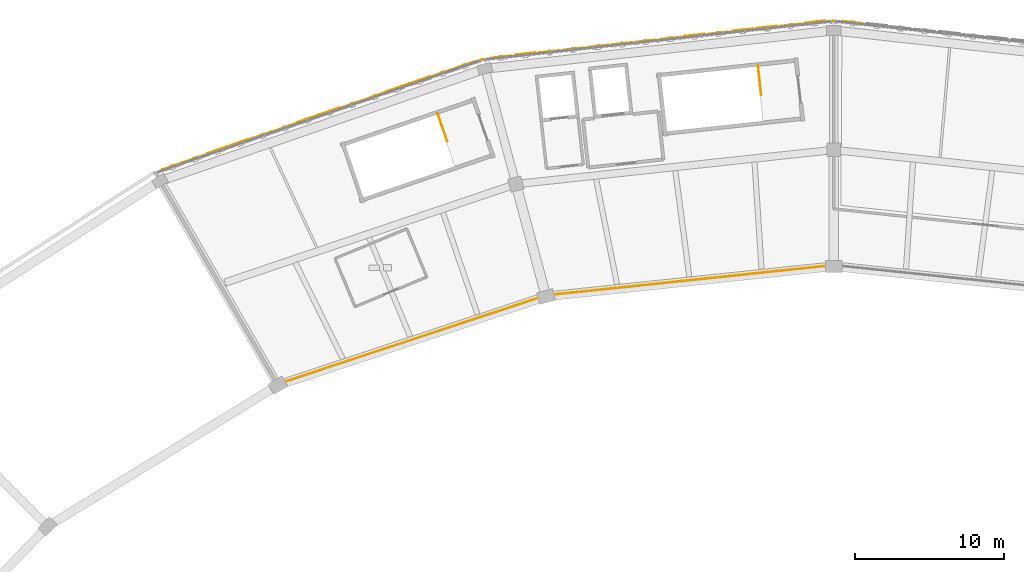
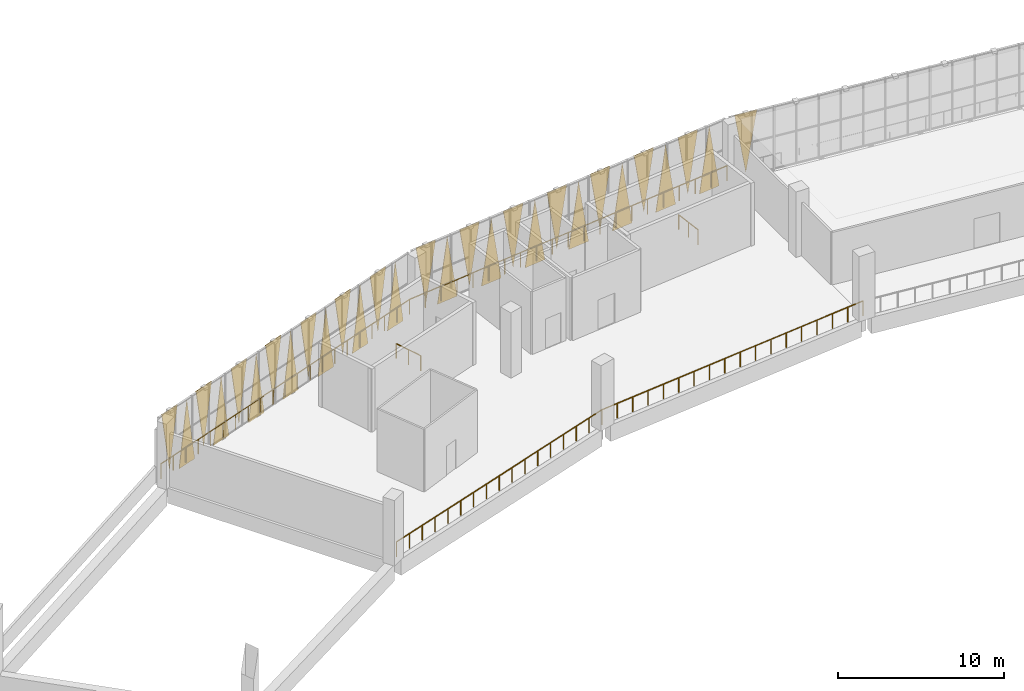
# One storey, part 62 of 64: 29 coverings, 6 railings.
"""IFC4 building model written with IfcOpenShell, lengths in metres."""

from ifc_helpers import new_model, si_unit, direction, frame, origin, origin_2d, place, context, subcontext, project, spatial, polyline, circle, outline, extrude, material, layer, layer_set, type_object, element, save


model = new_model("IFC4")

# Units and contexts
model_context = context("Model", 3, precision=1e-05, world=origin(), true_north=direction((0.0, 1.0)))
body_context = subcontext(model_context, "Body", "Model", "MODEL_VIEW")
ifc_project = project(units=[si_unit("LENGTHUNIT", "METRE"), si_unit("AREAUNIT", "SQUARE_METRE"), si_unit("VOLUMEUNIT", "CUBIC_METRE"), si_unit("PLANEANGLEUNIT", "RADIAN"), si_unit("MASSUNIT", "GRAM", prefix="KILO")], contexts=[model_context])

# Site, building, storey
site_placement = place(None, origin())
site = spatial("IfcSite", under=ifc_project, at=site_placement, CompositionType="ELEMENT")
building_placement = place(site_placement, origin())
building = spatial("IfcBuilding", under=site, at=building_placement, Name="Zevraka Park Crest Stadium", CompositionType="ELEMENT")
storey_placement = place(building_placement, frame((0.0, 0.0, 24.60009765625)))
storey = spatial("IfcBuildingStorey", under=building, at=storey_placement, Name="L05", CompositionType="ELEMENT", Elevation=24.60009765625)

# Coverings
ifc_material_1 = material(Name="Architectural golden-bronze perforated aluminium", Category="aluminium")
ifc_layer = layer(ifc_material_1, 0.034912109375)
ifc_layer_set = layer_set([ifc_layer], Name="Architectural golden-bronze perforated aluminium")
covering_type = type_object("IfcCoveringType", Name="CLD01", PredefinedType="CLADDING", material=ifc_layer_set)
covering_1_placement = place(storey_placement, frame((112.527099609375, 167.94189453125, 4.599853515625), z_axis=(0.108952601908, 0.994046945043, 3.9851097e-05), x_axis=(0.994046945832, -0.108952601995, 0.0)))
element("IfcCovering", 1, at=covering_1_placement, inside=storey, type_object=covering_type, Name="Triangular Golden-Bronze Perforated Cladding L05-05-14", PredefinedType="CLADDING", context=body_context, shape_type="SweptSolid", body=[
    extrude(outline(polyline([(0.0, 0.0), (1.4677218023927092, -8.470329472543003e-22), (0.7343329758034511, 4.379882815977869), (0.0, 0.0)])), origin(), (0.0, 0.0, -1.0), 0.034912109375),
])
covering_2_placement = place(storey_placement, frame((111.472900390625, 167.94189453125, -0.22021484375), z_axis=(0.108952601918, -0.994046945135, 3.7454352e-05), x_axis=(-0.994046945832, -0.108952601995, 0.0)))
element("IfcCovering", 2, at=covering_2_placement, inside=storey, type_object=covering_type, Name="Triangular Golden-Bronze Perforated Cladding L05-06-1", PredefinedType="CLADDING", context=body_context, shape_type="SweptSolid", body=[
    extrude(outline(polyline([(0.0, 0.0), (1.4677218023927092, 0.0), (0.7343329758034511, -4.660156253268701), (0.0, 0.0)])), origin(), (0.0, 0.0, -1.0), 0.034912109375),
])
covering_3_placement = place(storey_placement, frame((108.39501953125, 167.60400390625, 4.599853515625), z_axis=(-0.108880588211, 0.994054835883, 2.7704984e-05), x_axis=(0.994054836265, 0.108880588253, 0.0)))
element("IfcCovering", 3, at=covering_3_placement, inside=storey, type_object=covering_type, Name="Triangular Golden-Bronze Perforated Cladding L05-06-2", PredefinedType="CLADDING", context=body_context, shape_type="SweptSolid", body=[
    extrude(outline(polyline([(0.0, 0.0), (1.4686925552172725, 0.0), (0.7343595686960694, 4.379882814180925), (0.0, 0.0)])), origin(), (0.0, 0.0, -1.0), 0.034912109375),
])
covering_4_placement = place(storey_placement, frame((108.236083984375, 167.5859375, -0.22021484375), z_axis=(0.108952601983, -0.994046945726, 1.4622709e-05), x_axis=(-0.994046945832, -0.108952601995, 0.0)))
element("IfcCovering", 4, at=covering_4_placement, inside=storey, type_object=covering_type, Name="Triangular Golden-Bronze Perforated Cladding L05-06-3", PredefinedType="CLADDING", context=body_context, shape_type="SweptSolid", body=[
    extrude(outline(polyline([(0.0, 0.0), (1.4677218023927092, -4.235164736271502e-22), (0.7333622268329117, -4.660156250498226), (0.0, 0.0)])), origin(), (0.0, 0.0, -1.0), 0.034912109375),
])
covering_5_placement = place(storey_placement, frame((105.157958984375, 167.248046875, 4.599853515625), z_axis=(0.108880588211, -0.994054835883, 2.7704984e-05), x_axis=(0.994054836265, 0.108880588253, 0.0)))
element("IfcCovering", 5, at=covering_5_placement, inside=storey, type_object=covering_type, Name="Triangular Golden-Bronze Perforated Cladding L05-06-4", PredefinedType="CLADDING", context=body_context, shape_type="SweptSolid", body=[
    extrude(outline(polyline([(0.0, 0.0), (1.4686925552172725, 0.0), (0.7343329865212029, -4.379882814180925), (0.0, 0.0)])), origin(), (0.0, 0.0, -1.0), 0.034912109375),
])
covering_6_placement = place(storey_placement, frame((104.9990234375, 167.22998046875, -0.22021484375), z_axis=(-0.108952601918, 0.994046945135, 3.7454352e-05), x_axis=(-0.994046945832, -0.108952601995, 0.0)))
element("IfcCovering", 6, at=covering_6_placement, inside=storey, type_object=covering_type, Name="Triangular Golden-Bronze Perforated Cladding L05-06-5", PredefinedType="CLADDING", context=body_context, shape_type="SweptSolid", body=[
    extrude(outline(polyline([(0.0, 0.0), (1.4677218023927092, 0.0), (0.7333888265892581, 4.660156253268701), (0.0, 0.0)])), origin(), (0.0, 0.0, -1.0), 0.034912109375),
])
covering_7_placement = place(storey_placement, frame((101.9208984375, 166.89208984375, 4.599853515625), z_axis=(0.108862599567, -0.994056806127, 2.4670965e-05), x_axis=(0.994056806429, 0.108862599601, 0.0)))
element("IfcCovering", 7, at=covering_7_placement, inside=storey, type_object=covering_type, Name="Triangular Golden-Bronze Perforated Cladding L05-06-6", PredefinedType="CLADDING", context=body_context, shape_type="SweptSolid", body=[
    extrude(outline(polyline([(0.0, 0.0), (1.4689352446268007, -8.470329472543003e-22), (0.7343329885968441, -4.379882813832923), (0.0, 0.0)])), origin(), (0.0, 0.0, -1.0), 0.034912109375),
])
covering_8_placement = place(storey_placement, frame((101.761962890625, 166.8740234375, -0.22021484375), z_axis=(-0.108952601918, 0.994046945135, 3.7454352e-05), x_axis=(-0.994046945832, -0.108952601995, 0.0)))
element("IfcCovering", 8, at=covering_8_placement, inside=storey, type_object=covering_type, Name="Triangular Golden-Bronze Perforated Cladding L05-06-7", PredefinedType="CLADDING", context=body_context, shape_type="SweptSolid", body=[
    extrude(outline(polyline([(0.0, 0.0), (1.4677218023927092, 0.0), (0.7333888265892581, 4.660156253268701), (0.0, 0.0)])), origin(), (0.0, 0.0, -1.0), 0.034912109375),
])
covering_9_placement = place(storey_placement, frame((98.68505859375, 166.535888671875, 4.599853515625), z_axis=(-0.109116962801, 0.994028917226, 1.2164656e-05), x_axis=(0.994028917299, 0.109116962809, 0.0)))
element("IfcCovering", 9, at=covering_9_placement, inside=storey, type_object=covering_type, Name="Triangular Golden-Bronze Perforated Cladding L05-06-8", PredefinedType="CLADDING", context=body_context, shape_type="SweptSolid", body=[
    extrude(outline(polyline([(0.0, 0.0), (1.4677484222128137, 0.0), (0.7333888454241317, 4.379882812824066), (0.0, 0.0)])), origin(), (0.0, 0.0, -1.0), 0.034912109375),
])
covering_10_placement = place(storey_placement, frame((98.52587890625, 166.51806640625, -0.22021484375), z_axis=(-0.109044843045, 0.994036831413, 0.0), x_axis=(-0.994036831413, -0.109044843045, 0.0)))
element("IfcCovering", 10, at=covering_10_placement, inside=storey, type_object=covering_type, Name="Triangular Golden-Bronze Perforated Cladding L05-06-9", PredefinedType="CLADDING", context=body_context, shape_type="SweptSolid", body=[
    extrude(outline(polyline([(0.0, 0.0), (1.4687191574429541, 0.0), (0.7343595787214771, 4.660156249999999), (0.0, 0.0)])), origin(), (0.0, 0.0, -1.0), 0.034912109375),
])
covering_11_placement = place(storey_placement, frame((95.447998046875, 166.179931640625, 4.599853515625), z_axis=(-0.109116962801, 0.994028917226, 1.2164656e-05), x_axis=(0.994028917299, 0.109116962809, 0.0)))
element("IfcCovering", 11, at=covering_11_placement, inside=storey, type_object=covering_type, Name="Triangular Golden-Bronze Perforated Cladding L05-06-10", PredefinedType="CLADDING", context=body_context, shape_type="SweptSolid", body=[
    extrude(outline(polyline([(0.0, 0.0), (1.4677484222128137, 0.0), (0.7333888454241317, 4.379882812824066), (0.0, 0.0)])), origin(), (0.0, 0.0, -1.0), 0.034912109375),
])
covering_12_placement = place(storey_placement, frame((95.2890625, 166.162109375, -0.22021484375), z_axis=(-0.109044843045, 0.994036831413, 0.0), x_axis=(-0.994036831413, -0.109044843045, 0.0)))
element("IfcCovering", 12, at=covering_12_placement, inside=storey, type_object=covering_type, Name="Triangular Golden-Bronze Perforated Cladding L05-06-11", PredefinedType="CLADDING", context=body_context, shape_type="SweptSolid", body=[
    extrude(outline(polyline([(0.0, 0.0), (1.4687191574429541, 0.0), (0.7343595787214771, 4.660156249999999), (0.0, 0.0)])), origin(), (0.0, 0.0, -1.0), 0.034912109375),
])
covering_13_placement = place(storey_placement, frame((92.2109375, 165.823974609375, 4.599853515625), z_axis=(-0.108952601908, 0.994046945043, 3.9851097e-05), x_axis=(0.994046945832, 0.108952601995, 0.0)))
element("IfcCovering", 13, at=covering_13_placement, inside=storey, type_object=covering_type, Name="Triangular Golden-Bronze Perforated Cladding L05-06-12", PredefinedType="CLADDING", context=body_context, shape_type="SweptSolid", body=[
    extrude(outline(polyline([(0.0, 0.0), (1.4677218023927092, 8.470329472543003e-22), (0.7333888265892581, 4.379882815977869), (0.0, 0.0)])), origin(), (0.0, 0.0, -1.0), 0.034912109375),
])
covering_14_placement = place(storey_placement, frame((92.052001953125, 165.805908203125, -0.22021484375), z_axis=(0.108880588216, -0.994054835928, 2.6038737e-05), x_axis=(-0.994054836265, -0.108880588253, 0.0)))
element("IfcCovering", 14, at=covering_14_placement, inside=storey, type_object=covering_type, Name="Triangular Golden-Bronze Perforated Cladding L05-06-13", PredefinedType="CLADDING", context=body_context, shape_type="SweptSolid", body=[
    extrude(outline(polyline([(0.0, 0.0), (1.4686925552172725, 0.0), (0.7343329865212029, -4.66015625157983), (0.0, 0.0)])), origin(), (0.0, 0.0, -1.0), 0.034912109375),
])
covering_15_placement = place(storey_placement, frame((88.97412109375, 165.468017578125, 4.599853515625), z_axis=(-0.108952601981, 0.994046945712, 1.5558432e-05), x_axis=(0.994046945832, 0.108952601995, 0.0)))
element("IfcCovering", 15, at=covering_15_placement, inside=storey, type_object=covering_type, Name="Triangular Golden-Bronze Perforated Cladding L05-06-14", PredefinedType="CLADDING", context=body_context, shape_type="SweptSolid", body=[
    extrude(outline(polyline([(0.0, 0.0), (1.4677218023927092, 4.235164736271502e-22), (0.7343595755597975, 4.379882813030108), (0.0, 0.0)])), origin(), (0.0, 0.0, -1.0), 0.034912109375),
])
covering_16_placement = place(storey_placement, frame((87.946044921875, 165.237060546875, -0.22021484375), z_axis=(-0.326876778468, 0.945066958674, 0.00012377763), x_axis=(-0.945066965914, -0.326876780972, 0.0)))
element("IfcCovering", 16, at=covering_16_placement, inside=storey, type_object=covering_type, Name="Triangular Golden-Bronze Perforated Cladding L05-07-1", PredefinedType="CLADDING", context=body_context, shape_type="SweptSolid", body=[
    extrude(outline(polyline([(0.0, 0.0), (1.4347734924150557, -6.776263578034403e-21), (0.7175862559615392, 4.660156285698899), (0.0, 0.0)])), origin(), (0.0, 0.0, -1.0), 0.034912109375),
])
covering_17_placement = place(storey_placement, frame((85.083984375, 164.2470703125, 4.599853515625), z_axis=(-0.326478757081, 0.945204539279, 1.0053247e-05), x_axis=(0.945204539327, 0.326478757097, 0.0)))
element("IfcCovering", 17, at=covering_17_placement, inside=storey, type_object=covering_type, Name="Triangular Golden-Bronze Perforated Cladding L05-07-2", PredefinedType="CLADDING", context=body_context, shape_type="SweptSolid", body=[
    extrude(outline(polyline([(0.0, 0.0), (1.4335314869677471, 0.0), (0.716264364466002, 4.379882812721332), (0.0, 0.0)])), origin(), (0.0, 0.0, -1.0), 0.034912109375),
])
covering_18_placement = place(storey_placement, frame((84.931884765625, 164.194091796875, -0.22021484375), z_axis=(0.327087171185, -0.944994169742, 3.998936e-05), x_axis=(-0.944994170498, -0.327087171446, 0.0)))
element("IfcCovering", 18, at=covering_18_placement, inside=storey, type_object=covering_type, Name="Triangular Golden-Bronze Perforated Cladding L05-07-3", PredefinedType="CLADDING", context=body_context, shape_type="SweptSolid", body=[
    extrude(outline(polyline([(0.0, 0.0), (1.433850610989357, 0.0), (0.7163440996601653, -4.660156253726142), (0.0, 0.0)])), origin(), (0.0, 0.0, -1.0), 0.034912109375),
])
covering_19_placement = place(storey_placement, frame((82.070068359375, 163.2041015625, 4.599853515625), z_axis=(0.327087166822, -0.944994157138, 0.000168152716), x_axis=(0.944994170498, 0.327087171446, 0.0)))
element("IfcCovering", 19, at=covering_19_placement, inside=storey, type_object=covering_type, Name="Triangular Golden-Bronze Perforated Cladding L05-07-4", PredefinedType="CLADDING", context=body_context, shape_type="SweptSolid", body=[
    extrude(outline(polyline([(0.0, 0.0), (1.433850610989357, 0.0), (0.7171870902633259, -4.37988287442133), (0.0, 0.0)])), origin(), (0.0, 0.0, -1.0), 0.034912109375),
])
covering_20_placement = place(storey_placement, frame((81.9189453125, 163.152099609375, -0.22021484375), z_axis=(-0.326876778468, 0.945066958674, 0.00012377763), x_axis=(-0.945066965914, -0.326876780972, 0.0)))
element("IfcCovering", 20, at=covering_20_placement, inside=storey, type_object=covering_type, Name="Triangular Golden-Bronze Perforated Cladding L05-07-5", PredefinedType="CLADDING", context=body_context, shape_type="SweptSolid", body=[
    extrude(outline(polyline([(0.0, 0.0), (1.4347734924150557, -6.776263578034403e-21), (0.7175862559615392, 4.660156285698899), (0.0, 0.0)])), origin(), (0.0, 0.0, -1.0), 0.034912109375),
])
covering_21_placement = place(storey_placement, frame((79.055908203125, 162.160888671875, 4.599853515625), z_axis=(-0.326824219868, 0.945085133456, 0.00014080964), x_axis=(0.945085142826, 0.326824223109, 0.0)))
element("IfcCovering", 21, at=covering_21_placement, inside=storey, type_object=covering_type, Name="Triangular Golden-Bronze Perforated Cladding L05-07-6", PredefinedType="CLADDING", context=body_context, shape_type="SweptSolid", body=[
    extrude(outline(polyline([(0.0, 0.0), (1.4350042238738205, 0.0), (0.7175862227734235, 4.379882855920746), (0.0, 0.0)])), origin(), (0.0, 0.0, -1.0), 0.034912109375),
])
covering_22_placement = place(storey_placement, frame((78.905029296875, 162.10888671875, -0.22021484375), z_axis=(0.326876778468, -0.945066958674, 0.00012377763), x_axis=(-0.945066965914, -0.326876780972, 0.0)))
element("IfcCovering", 22, at=covering_22_placement, inside=storey, type_object=covering_type, Name="Triangular Golden-Bronze Perforated Cladding L05-07-7", PredefinedType="CLADDING", context=body_context, shape_type="SweptSolid", body=[
    extrude(outline(polyline([(0.0, 0.0), (1.4347734924150557, -6.776263578034403e-21), (0.7171872364535165, -4.660156285698899), (0.0, 0.0)])), origin(), (0.0, 0.0, -1.0), 0.034912109375),
])
covering_23_placement = place(storey_placement, frame((76.0419921875, 161.118896484375, 4.599853515625), z_axis=(0.326876779952, -0.945066962963, 7.9018977e-05), x_axis=(0.945066965914, 0.326876780972, 0.0)))
element("IfcCovering", 23, at=covering_23_placement, inside=storey, type_object=covering_type, Name="Triangular Golden-Bronze Perforated Cladding L05-07-8", PredefinedType="CLADDING", context=body_context, shape_type="SweptSolid", body=[
    extrude(outline(polyline([(0.0, 0.0), (1.4347734924150557, -6.776263578034403e-21), (0.717267040355121, -4.379882826173993), (0.0, 0.0)])), origin(), (0.0, 0.0, -1.0), 0.034912109375),
])
covering_24_placement = place(storey_placement, frame((75.89111328125, 161.06689453125, -0.22021484375), z_axis=(-0.326824222403, 0.945085140785, 6.570702e-05), x_axis=(-0.945085142826, -0.326824223109, 0.0)))
element("IfcCovering", 24, at=covering_24_placement, inside=storey, type_object=covering_type, Name="Triangular Golden-Bronze Perforated Cladding L05-07-9", PredefinedType="CLADDING", context=body_context, shape_type="SweptSolid", body=[
    extrude(outline(polyline([(0.0, 0.0), (1.4350042238738205, 0.0), (0.7177371653807764, 4.6601562600599085), (0.0, 0.0)])), origin(), (0.0, 0.0, -1.0), 0.034912109375),
])
covering_25_placement = place(storey_placement, frame((73.028076171875, 160.075927734375, 4.599853515625), z_axis=(-0.326876778138, 0.945066957718, 0.000131698294), x_axis=(0.945066965914, 0.326876780972, 0.0)))
element("IfcCovering", 25, at=covering_25_placement, inside=storey, type_object=covering_type, Name="Triangular Golden-Bronze Perforated Cladding L05-07-10", PredefinedType="CLADDING", context=body_context, shape_type="SweptSolid", body=[
    extrude(outline(polyline([(0.0, 0.0), (1.4347734924150557, -6.776263578034403e-21), (0.7175862559615392, 4.379882850483309), (0.0, 0.0)])), origin(), (0.0, 0.0, -1.0), 0.034912109375),
])
covering_26_placement = place(storey_placement, frame((72.876953125, 160.02392578125, -0.22021484375), z_axis=(0.327087167362, -0.944994158697, 0.000158039592), x_axis=(-0.944994170498, -0.327087171446, 0.0)))
element("IfcCovering", 26, at=covering_26_placement, inside=storey, type_object=covering_type, Name="Triangular Golden-Bronze Perforated Cladding L05-07-11", PredefinedType="CLADDING", context=body_context, shape_type="SweptSolid", body=[
    extrude(outline(polyline([(0.0, 0.0), (1.433850610989357, 0.0), (0.7171870902633259, -4.660156308197227), (0.0, 0.0)])), origin(), (0.0, 0.0, -1.0), 0.034912109375),
])
covering_27_placement = place(storey_placement, frame((70.014892578125, 159.033935546875, 4.599853515625), z_axis=(0.327034549779, -0.945012382, 3.3441037e-05), x_axis=(0.945012382528, 0.327034549962, 0.0)))
element("IfcCovering", 27, at=covering_27_placement, inside=storey, type_object=covering_type, Name="Triangular Golden-Bronze Perforated Cladding L05-07-12", PredefinedType="CLADDING", context=body_context, shape_type="SweptSolid", body=[
    extrude(outline(polyline([(0.0, 0.0), (1.4340813246800908, 1.6940658945086007e-21), (0.7163441089266511, -4.379882814949018), (0.0, 0.0)])), origin(), (0.0, 0.0, -1.0), 0.034912109375),
])
covering_28_placement = place(storey_placement, frame((69.863037109375, 158.98095703125, -0.22021484375), z_axis=(-0.326478757083, 0.945204539285, 9.448619e-06), x_axis=(-0.945204539327, -0.326478757097, 0.0)))
element("IfcCovering", 28, at=covering_28_placement, inside=storey, type_object=covering_type, Name="Triangular Golden-Bronze Perforated Cladding L05-07-13", PredefinedType="CLADDING", context=body_context, shape_type="SweptSolid", body=[
    extrude(outline(polyline([(0.0, 0.0), (1.4335314869677471, 0.0), (0.716264364466002, 4.660156250208021), (0.0, 0.0)])), origin(), (0.0, 0.0, -1.0), 0.034912109375),
])
covering_29_placement = place(storey_placement, frame((67.0009765625, 157.990966796875, 4.599853515625), z_axis=(-0.326876778138, 0.945066957718, 0.000131698294), x_axis=(0.945066965914, 0.326876780972, 0.0)))
element("IfcCovering", 29, at=covering_29_placement, inside=storey, type_object=covering_type, Name="Triangular Golden-Bronze Perforated Cladding L05-07-14", PredefinedType="CLADDING", context=body_context, shape_type="SweptSolid", body=[
    extrude(outline(polyline([(0.0, 0.0), (1.4347734924150557, -6.776263578034403e-21), (0.7175862559615392, 4.379882850483309), (0.0, 0.0)])), origin(), (0.0, 0.0, -1.0), 0.034912109375),
])

# Railings
ifc_material_2 = material(Name="Galvanised and bronze-finished steel balustrade", Category="steel")
railing_type_1 = type_object("IfcRailingType", Name="GR01", PredefinedType="GUARDRAIL", material=ifc_material_2)
railing_1_placement = place(storey_placement, frame((66.910888671875, 157.885986328125, 0.0)))
element("IfcRailing", 30, at=railing_1_placement, inside=storey, type_object=railing_type_1, Name="Deck Edge Protection Guardrail GR01 L05-17", PredefinedType="GUARDRAIL", context=body_context, shape_type="SweptSolid", body=[
    extrude(circle(Radius=0.02392578125, at=origin_2d()), frame((0.0, 0.0, 1.076171875), z_axis=(0.945052369108, 0.326918980244, 0.0), x_axis=(-0.326918980244, 0.945052369108, 0.0)), (0.0, 0.0, 1.0), 22.803955078125),
    extrude(circle(Radius=0.02099609375, at=origin_2d()), origin(), (0.0, 0.0, 1.0), 1.052001953125),
    extrude(circle(Radius=0.02099609375, at=origin_2d()), frame((1.07763671875, 0.372802734375, 0.0)), (0.0, 0.0, 1.0), 1.052001953125),
    extrude(circle(Radius=0.02099609375, at=origin_2d()), frame((2.155029296875, 0.74560546875, 0.0)), (0.0, 0.0, 1.0), 1.052001953125),
    extrude(circle(Radius=0.02099609375, at=origin_2d()), frame((3.232666015625, 1.1181640625, 0.0)), (0.0, 0.0, 1.0), 1.052001953125),
    extrude(circle(Radius=0.02099609375, at=origin_2d()), frame((4.310302734375, 1.490966796875, 0.0)), (0.0, 0.0, 1.0), 1.052001953125),
    extrude(circle(Radius=0.02099609375, at=origin_2d()), frame((5.3876953125, 1.86376953125, 0.0)), (0.0, 0.0, 1.0), 1.052001953125),
    extrude(circle(Radius=0.02099609375, at=origin_2d()), frame((6.46533203125, 2.236572265625, 0.0)), (0.0, 0.0, 1.0), 1.052001953125),
    extrude(circle(Radius=0.02099609375, at=origin_2d()), frame((7.54296875, 2.609375, 0.0)), (0.0, 0.0, 1.0), 1.052001953125),
    extrude(circle(Radius=0.02099609375, at=origin_2d()), frame((8.620361328125, 2.98193359375, 0.0)), (0.0, 0.0, 1.0), 1.052001953125),
    extrude(circle(Radius=0.02099609375, at=origin_2d()), frame((9.697998046875, 3.354736328125, 0.0)), (0.0, 0.0, 1.0), 1.052001953125),
    extrude(circle(Radius=0.02099609375, at=origin_2d()), frame((10.775390625, 3.7275390625, 0.0)), (0.0, 0.0, 1.0), 1.052001953125),
    extrude(circle(Radius=0.02099609375, at=origin_2d()), frame((11.85302734375, 4.100341796875, 0.0)), (0.0, 0.0, 1.0), 1.052001953125),
    extrude(circle(Radius=0.02099609375, at=origin_2d()), frame((12.9306640625, 4.47314453125, 0.0)), (0.0, 0.0, 1.0), 1.052001953125),
    extrude(circle(Radius=0.02099609375, at=origin_2d()), frame((14.008056640625, 4.845703125, 0.0)), (0.0, 0.0, 1.0), 1.052001953125),
    extrude(circle(Radius=0.02099609375, at=origin_2d()), frame((15.085693359375, 5.218505859375, 0.0)), (0.0, 0.0, 1.0), 1.052001953125),
    extrude(circle(Radius=0.02099609375, at=origin_2d()), frame((16.163330078125, 5.59130859375, 0.0)), (0.0, 0.0, 1.0), 1.052001953125),
    extrude(circle(Radius=0.02099609375, at=origin_2d()), frame((17.24072265625, 5.964111328125, 0.0)), (0.0, 0.0, 1.0), 1.052001953125),
    extrude(circle(Radius=0.02099609375, at=origin_2d()), frame((18.318359375, 6.3369140625, 0.0)), (0.0, 0.0, 1.0), 1.052001953125),
    extrude(circle(Radius=0.02099609375, at=origin_2d()), frame((19.39599609375, 6.70947265625, 0.0)), (0.0, 0.0, 1.0), 1.052001953125),
    extrude(circle(Radius=0.02099609375, at=origin_2d()), frame((20.473388671875, 7.082275390625, 0.0)), (0.0, 0.0, 1.0), 1.052001953125),
    extrude(circle(Radius=0.02099609375, at=origin_2d()), frame((21.551025390625, 7.455078125, 0.0)), (0.0, 0.0, 1.0), 1.052001953125),
])
railing_2_placement = place(storey_placement, frame((88.4619140625, 165.341064453125, 0.0)))
element("IfcRailing", 31, at=railing_2_placement, inside=storey, type_object=railing_type_1, Name="Deck Edge Protection Guardrail GR01 L05-18", PredefinedType="GUARDRAIL", context=body_context, shape_type="SweptSolid", body=[
    extrude(circle(Radius=0.02392578125, at=origin_2d()), frame((0.0, 0.0, 1.076171875), z_axis=(0.994005834956, 0.109327032671, 0.0), x_axis=(-0.109327032671, 0.994005834956, 0.0)), (0.0, 0.0, 1.0), 23.679931640625),
    extrude(circle(Radius=0.02099609375, at=origin_2d()), origin(), (0.0, 0.0, 1.0), 1.052001953125),
    extrude(circle(Radius=0.02099609375, at=origin_2d()), frame((1.177001953125, 0.12939453125, 0.0)), (0.0, 0.0, 1.0), 1.052001953125),
    extrude(circle(Radius=0.02099609375, at=origin_2d()), frame((2.353759765625, 0.2587890625, 0.0)), (0.0, 0.0, 1.0), 1.052001953125),
    extrude(circle(Radius=0.02099609375, at=origin_2d()), frame((3.53076171875, 0.388427734375, 0.0)), (0.0, 0.0, 1.0), 1.052001953125),
    extrude(circle(Radius=0.02099609375, at=origin_2d()), frame((4.70751953125, 0.517822265625, 0.0)), (0.0, 0.0, 1.0), 1.052001953125),
    extrude(circle(Radius=0.02099609375, at=origin_2d()), frame((5.884521484375, 0.647216796875, 0.0)), (0.0, 0.0, 1.0), 1.052001953125),
    extrude(circle(Radius=0.02099609375, at=origin_2d()), frame((7.0615234375, 0.776611328125, 0.0)), (0.0, 0.0, 1.0), 1.052001953125),
    extrude(circle(Radius=0.02099609375, at=origin_2d()), frame((8.23828125, 0.906005859375, 0.0)), (0.0, 0.0, 1.0), 1.052001953125),
    extrude(circle(Radius=0.02099609375, at=origin_2d()), frame((9.415283203125, 1.03564453125, 0.0)), (0.0, 0.0, 1.0), 1.052001953125),
    extrude(circle(Radius=0.02099609375, at=origin_2d()), frame((10.592041015625, 1.1650390625, 0.0)), (0.0, 0.0, 1.0), 1.052001953125),
    extrude(circle(Radius=0.02099609375, at=origin_2d()), frame((11.76904296875, 1.29443359375, 0.0)), (0.0, 0.0, 1.0), 1.052001953125),
    extrude(circle(Radius=0.02099609375, at=origin_2d()), frame((12.946044921875, 1.423828125, 0.0)), (0.0, 0.0, 1.0), 1.052001953125),
    extrude(circle(Radius=0.02099609375, at=origin_2d()), frame((14.122802734375, 1.55322265625, 0.0)), (0.0, 0.0, 1.0), 1.052001953125),
    extrude(circle(Radius=0.02099609375, at=origin_2d()), frame((15.2998046875, 1.682861328125, 0.0)), (0.0, 0.0, 1.0), 1.052001953125),
    extrude(circle(Radius=0.02099609375, at=origin_2d()), frame((16.4765625, 1.812255859375, 0.0)), (0.0, 0.0, 1.0), 1.052001953125),
    extrude(circle(Radius=0.02099609375, at=origin_2d()), frame((17.653564453125, 1.941650390625, 0.0)), (0.0, 0.0, 1.0), 1.052001953125),
    extrude(circle(Radius=0.02099609375, at=origin_2d()), frame((18.83056640625, 2.071044921875, 0.0)), (0.0, 0.0, 1.0), 1.052001953125),
    extrude(circle(Radius=0.02099609375, at=origin_2d()), frame((20.00732421875, 2.200439453125, 0.0)), (0.0, 0.0, 1.0), 1.052001953125),
    extrude(circle(Radius=0.02099609375, at=origin_2d()), frame((21.184326171875, 2.330078125, 0.0)), (0.0, 0.0, 1.0), 1.052001953125),
    extrude(circle(Radius=0.02099609375, at=origin_2d()), frame((22.361083984375, 2.45947265625, 0.0)), (0.0, 0.0, 1.0), 1.052001953125),
    extrude(circle(Radius=0.02099609375, at=origin_2d()), frame((23.5380859375, 2.5888671875, 0.0)), (0.0, 0.0, 1.0), 1.052001953125),
])
railing_3_placement = place(storey_placement, frame((112.00390625, 151.570068359375, 0.0)))
element("IfcRailing", 32, at=railing_3_placement, inside=storey, type_object=railing_type_1, Name="Deck Edge Protection Guardrail GR01 L05-23", PredefinedType="GUARDRAIL", context=body_context, shape_type="SweptSolid", body=[
    extrude(circle(Radius=0.02392578125, at=origin_2d()), frame((0.0, 0.0, 1.076171875), z_axis=(-0.994522469257, -0.104523002937, 0.0), x_axis=(0.104523002937, -0.994522469257, 0.0)), (0.0, 0.0, 1.0), 19.403076171875),
    extrude(circle(Radius=0.02099609375, at=origin_2d()), origin(), (0.0, 0.0, 1.0), 1.052001953125),
    extrude(circle(Radius=0.02099609375, at=origin_2d()), frame((-1.135009765625, -0.119384765625, 0.0)), (0.0, 0.0, 1.0), 1.052001953125),
    extrude(circle(Radius=0.02099609375, at=origin_2d()), frame((-2.270263671875, -0.238525390625, 0.0)), (0.0, 0.0, 1.0), 1.052001953125),
    extrude(circle(Radius=0.02099609375, at=origin_2d()), frame((-3.4052734375, -0.35791015625, 0.0)), (0.0, 0.0, 1.0), 1.052001953125),
    extrude(circle(Radius=0.02099609375, at=origin_2d()), frame((-4.54052734375, -0.477294921875, 0.0)), (0.0, 0.0, 1.0), 1.052001953125),
    extrude(circle(Radius=0.02099609375, at=origin_2d()), frame((-5.675537109375, -0.596435546875, 0.0)), (0.0, 0.0, 1.0), 1.052001953125),
    extrude(circle(Radius=0.02099609375, at=origin_2d()), frame((-6.810546875, -0.7158203125, 0.0)), (0.0, 0.0, 1.0), 1.052001953125),
    extrude(circle(Radius=0.02099609375, at=origin_2d()), frame((-7.94580078125, -0.835205078125, 0.0)), (0.0, 0.0, 1.0), 1.052001953125),
    extrude(circle(Radius=0.02099609375, at=origin_2d()), frame((-9.080810546875, -0.954345703125, 0.0)), (0.0, 0.0, 1.0), 1.052001953125),
    extrude(circle(Radius=0.02099609375, at=origin_2d()), frame((-10.216064453125, -1.07373046875, 0.0)), (0.0, 0.0, 1.0), 1.052001953125),
    extrude(circle(Radius=0.02099609375, at=origin_2d()), frame((-11.35107421875, -1.19287109375, 0.0)), (0.0, 0.0, 1.0), 1.052001953125),
    extrude(circle(Radius=0.02099609375, at=origin_2d()), frame((-12.486328125, -1.312255859375, 0.0)), (0.0, 0.0, 1.0), 1.052001953125),
    extrude(circle(Radius=0.02099609375, at=origin_2d()), frame((-13.621337890625, -1.431640625, 0.0)), (0.0, 0.0, 1.0), 1.052001953125),
    extrude(circle(Radius=0.02099609375, at=origin_2d()), frame((-14.75634765625, -1.55078125, 0.0)), (0.0, 0.0, 1.0), 1.052001953125),
    extrude(circle(Radius=0.02099609375, at=origin_2d()), frame((-15.8916015625, -1.670166015625, 0.0)), (0.0, 0.0, 1.0), 1.052001953125),
    extrude(circle(Radius=0.02099609375, at=origin_2d()), frame((-17.026611328125, -1.78955078125, 0.0)), (0.0, 0.0, 1.0), 1.052001953125),
    extrude(circle(Radius=0.02099609375, at=origin_2d()), frame((-18.161865234375, -1.90869140625, 0.0)), (0.0, 0.0, 1.0), 1.052001953125),
    extrude(circle(Radius=0.02099609375, at=origin_2d()), frame((-19.296875, -2.028076171875, 0.0)), (0.0, 0.0, 1.0), 1.052001953125),
])
railing_4_placement = place(storey_placement, frame((92.70703125, 149.5419921875, 0.0)))
element("IfcRailing", 33, at=railing_4_placement, inside=storey, type_object=railing_type_1, Name="Deck Edge Protection Guardrail GR01 L05-24", PredefinedType="GUARDRAIL", context=body_context, shape_type="SweptSolid", body=[
    extrude(circle(Radius=0.02392578125, at=origin_2d()), frame((0.0, 0.0, 1.076171875), z_axis=(-0.949420228178, -0.314008328436, 0.0), x_axis=(0.314008328436, -0.949420228178, 0.0)), (0.0, 0.0, 1.0), 18.553466796875),
    extrude(circle(Radius=0.02099609375, at=origin_2d()), origin(), (0.0, 0.0, 1.0), 1.052001953125),
    extrude(circle(Radius=0.02099609375, at=origin_2d()), frame((-1.100830078125, -0.364013671875, 0.0)), (0.0, 0.0, 1.0), 1.052001953125),
    extrude(circle(Radius=0.02099609375, at=origin_2d()), frame((-2.201904296875, -0.728271484375, 0.0)), (0.0, 0.0, 1.0), 1.052001953125),
    extrude(circle(Radius=0.02099609375, at=origin_2d()), frame((-3.302734375, -1.09228515625, 0.0)), (0.0, 0.0, 1.0), 1.052001953125),
    extrude(circle(Radius=0.02099609375, at=origin_2d()), frame((-4.40380859375, -1.45654296875, 0.0)), (0.0, 0.0, 1.0), 1.052001953125),
    extrude(circle(Radius=0.02099609375, at=origin_2d()), frame((-5.504638671875, -1.820556640625, 0.0)), (0.0, 0.0, 1.0), 1.052001953125),
    extrude(circle(Radius=0.02099609375, at=origin_2d()), frame((-6.605712890625, -2.184814453125, 0.0)), (0.0, 0.0, 1.0), 1.052001953125),
    extrude(circle(Radius=0.02099609375, at=origin_2d()), frame((-7.70654296875, -2.548828125, 0.0)), (0.0, 0.0, 1.0), 1.052001953125),
    extrude(circle(Radius=0.02099609375, at=origin_2d()), frame((-8.8076171875, -2.9130859375, 0.0)), (0.0, 0.0, 1.0), 1.052001953125),
    extrude(circle(Radius=0.02099609375, at=origin_2d()), frame((-9.908447265625, -3.277099609375, 0.0)), (0.0, 0.0, 1.0), 1.052001953125),
    extrude(circle(Radius=0.02099609375, at=origin_2d()), frame((-11.00927734375, -3.64111328125, 0.0)), (0.0, 0.0, 1.0), 1.052001953125),
    extrude(circle(Radius=0.02099609375, at=origin_2d()), frame((-12.1103515625, -4.00537109375, 0.0)), (0.0, 0.0, 1.0), 1.052001953125),
    extrude(circle(Radius=0.02099609375, at=origin_2d()), frame((-13.211181640625, -4.369384765625, 0.0)), (0.0, 0.0, 1.0), 1.052001953125),
    extrude(circle(Radius=0.02099609375, at=origin_2d()), frame((-14.312255859375, -4.733642578125, 0.0)), (0.0, 0.0, 1.0), 1.052001953125),
    extrude(circle(Radius=0.02099609375, at=origin_2d()), frame((-15.4130859375, -5.09765625, 0.0)), (0.0, 0.0, 1.0), 1.052001953125),
    extrude(circle(Radius=0.02099609375, at=origin_2d()), frame((-16.51416015625, -5.4619140625, 0.0)), (0.0, 0.0, 1.0), 1.052001953125),
    extrude(circle(Radius=0.02099609375, at=origin_2d()), frame((-17.614990234375, -5.825927734375, 0.0)), (0.0, 0.0, 1.0), 1.052001953125),
])
ifc_material_3 = material(Name="Powder-coated tubular steel stairwell guard", Category="steel")
railing_type_2 = type_object("IfcRailingType", Name="GR03", PredefinedType="GUARDRAIL", material=ifc_material_3)
railing_5_placement = place(storey_placement, frame((106.927490234375, 164.93896484375, 0.0)))
element("IfcRailing", 34, at=railing_5_placement, inside=storey, type_object=railing_type_2, Name="L05 ST07 top well guard 1", PredefinedType="GUARDRAIL", context=body_context, shape_type="SweptSolid", body=[
    extrude(circle(Radius=0.02392578125, at=origin_2d()), frame((0.0, 0.0, 1.076171875), z_axis=(0.108120734842, -0.994137770481, 0.0), x_axis=(0.994137770481, 0.108120734842, 0.0)), (0.0, 0.0, 1.0), 1.9599609375),
    extrude(circle(Radius=0.02099609375, at=origin_2d()), origin(), (0.0, 0.0, 1.0), 1.052001953125),
    extrude(circle(Radius=0.02099609375, at=origin_2d()), frame((0.10595703125, -0.97412109375, 0.0)), (0.0, 0.0, 1.0), 1.052001953125),
    extrude(circle(Radius=0.02099609375, at=origin_2d()), frame((0.2119140625, -1.948486328125, 0.0)), (0.0, 0.0, 1.0), 1.052001953125),
])
railing_6_placement = place(storey_placement, frame((85.464111328125, 161.7353515625, 0.0)))
element("IfcRailing", 35, at=railing_6_placement, inside=storey, type_object=railing_type_2, Name="L05 ST08 top well guard 1", PredefinedType="GUARDRAIL", context=body_context, shape_type="SweptSolid", body=[
    extrude(circle(Radius=0.02392578125, at=origin_2d()), frame((0.0, 0.0, 1.076171875), z_axis=(0.323951744143, -0.946073605734, 0.0), x_axis=(0.946073605734, 0.323951744143, 0.0)), (0.0, 0.0, 1.0), 1.960205078125),
    extrude(circle(Radius=0.02099609375, at=origin_2d()), origin(), (0.0, 0.0, 1.0), 1.052001953125),
    extrude(circle(Radius=0.02099609375, at=origin_2d()), frame((0.3173828125, -0.92724609375, 0.0)), (0.0, 0.0, 1.0), 1.052001953125),
    extrude(circle(Radius=0.02099609375, at=origin_2d()), frame((0.635009765625, -1.8544921875, 0.0)), (0.0, 0.0, 1.0), 1.052001953125),
])

save(model, "model.ifc")
